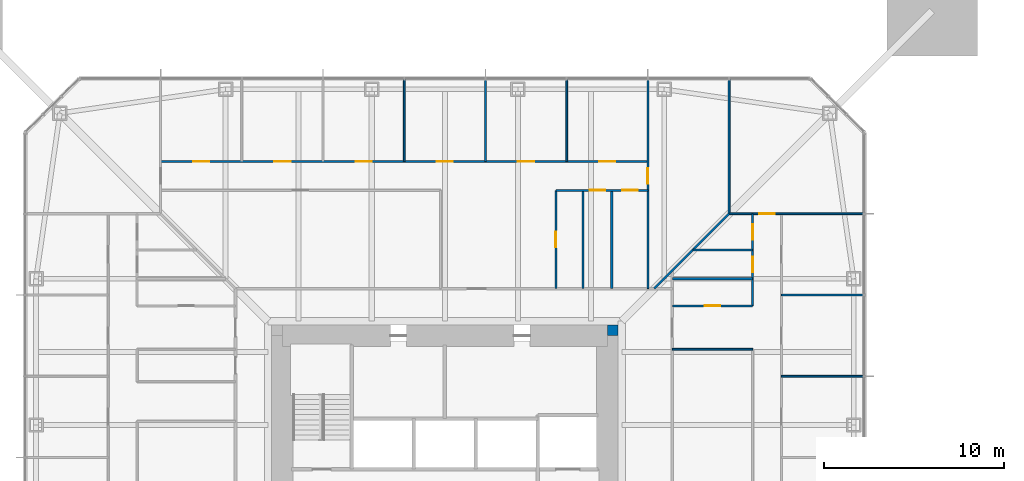
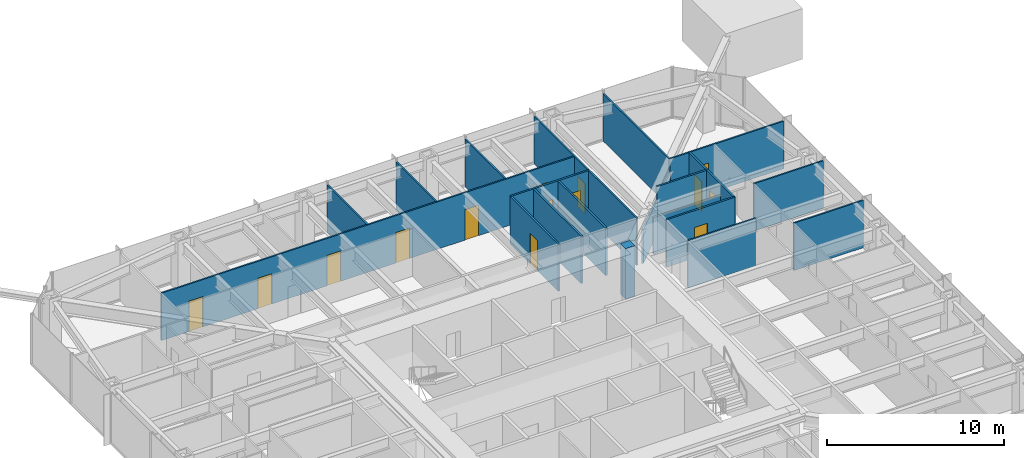
# One storey, part 17 of 26: 20 walls, 14 doors, 14 openings.
"""IFC4 building model written with IfcOpenShell, lengths in metres."""

import ifcopenshell
import ifcopenshell.guid

model = None  # the IFC model being written
_history = None  # IfcOwnerHistory: only IFC2X3 demands one
_inside = {}  # id of a spatial element -> (the spatial element, [elements in it])
_under = {}  # id of a project, library or spatial element -> (it, [spatial elements below it])
_declared = {}  # id of a project -> (the project, [libraries it declares])
_typed = {}  # id of a type object -> (the type object, [elements of that type])
_made_of = {}  # id of a material, layer set ... -> (it, [elements and type objects made of it])


def new_model(schema):
    """Start an empty IFC model of exactly this schema.

    Asked for "IFC4X3", IfcOpenShell would pick the latest addendum, in which some entities
    have other attributes; the version numbers below select the first issue.
    IFC2X3 requires an IfcOwnerHistory on every rooted entity: one is made here for all.
    """
    global model, _history
    if schema == "IFC4X3":
        model = ifcopenshell.file(schema_version=(4, 3, 0, 0))
    else:
        model = ifcopenshell.file(schema=schema)
    _inside.clear()
    _under.clear()
    _declared.clear()
    _typed.clear()
    _made_of.clear()
    _history = None
    if model.schema == "IFC2X3":
        org = make("IfcOrganization", Name="unknown")
        user = make(
            "IfcPersonAndOrganization",
            ThePerson=make("IfcPerson", FamilyName="unknown"),
            TheOrganization=org,
        )
        app = make(
            "IfcApplication",
            ApplicationDeveloper=org,
            Version="unknown",
            ApplicationFullName="unknown",
            ApplicationIdentifier="unknown",
        )
        _history = make(
            "IfcOwnerHistory",
            OwningUser=user,
            OwningApplication=app,
            ChangeAction="ADDED",
            CreationDate=0,
        )
    return model


def make(cls, **values):
    """One entity of the class cls with the attributes given. An attribute that is None is left unset."""
    return model.create_entity(
        cls, **{name: value for name, value in values.items() if value is not None}
    )


def rooted(cls, **values):
    """An entity with a GlobalId (a new one), such as an element, a storey or a relation."""
    return make(cls, GlobalId=ifcopenshell.guid.new(), OwnerHistory=_history, **values)


def si_unit(unit_type, name, prefix=None):
    """IfcSIUnit, for example si_unit("LENGTHUNIT", "METRE", prefix="MILLI")."""
    return make("IfcSIUnit", UnitType=unit_type, Prefix=prefix, Name=name)


def assignment(units):
    """IfcUnitAssignment: the units of a project."""
    return None if units is None else make("IfcUnitAssignment", Units=units)


def point(xyz):
    """IfcCartesianPoint."""
    return None if xyz is None else make("IfcCartesianPoint", Coordinates=xyz)


def direction(xyz):
    """IfcDirection."""
    return None if xyz is None else make("IfcDirection", DirectionRatios=xyz)


def frame(location, z_axis=None, x_axis=None):
    """IfcAxis2Placement3D, a coordinate frame: its origin and axes. An axis left out is left unset."""
    return make(
        "IfcAxis2Placement3D",
        Location=point(location),
        Axis=direction(z_axis),
        RefDirection=direction(x_axis),
    )


def frame_2d(location, x_axis=None):
    """IfcAxis2Placement2D, a coordinate frame in the plane: its origin and x axis."""
    return make(
        "IfcAxis2Placement2D", Location=point(location), RefDirection=direction(x_axis)
    )


def origin():
    """The frame at (0, 0, 0) with its axes left unset."""
    return frame((0.0, 0.0, 0.0))


def place(relative_to, where):
    """IfcLocalPlacement: puts the frame where relative to a parent placement (None: the world)."""
    return make(
        "IfcLocalPlacement", PlacementRelTo=relative_to, RelativePlacement=where
    )


def context(
    kind, dimensions, precision=None, world=None, true_north=None, identifier=None
):
    """IfcGeometricRepresentationContext, for example the 3D "Model" context."""
    return make(
        "IfcGeometricRepresentationContext",
        ContextIdentifier=identifier,
        ContextType=kind,
        CoordinateSpaceDimension=dimensions,
        Precision=precision,
        WorldCoordinateSystem=world,
        TrueNorth=true_north,
    )


def subcontext(parent, identifier, kind, view, scale=None):
    """IfcGeometricRepresentationSubContext, for example "Body" below "Model"."""
    return make(
        "IfcGeometricRepresentationSubContext",
        ContextIdentifier=identifier,
        ContextType=kind,
        ParentContext=parent,
        TargetScale=scale,
        TargetView=view,
    )


def project(units=None, contexts=None):
    """IfcProject with its units and contexts."""
    return rooted(
        "IfcProject",
        Name="project",
        RepresentationContexts=contexts,
        UnitsInContext=assignment(units),
    )


def spatial(cls, under=None, at=None, **own):
    """A site, building, storey or space (cls), placed at a placement, below another one or the project."""
    s = rooted(cls, ObjectPlacement=at, **own)
    if under is not None:
        _under.setdefault(under.id(), (under, []))[1].append(s)
    return s


def profile(cls, at=None, kind="AREA", **sizes):
    """A parametric profile (cls). Its sizes go by their IFC names, for example OverallWidth=200.0."""
    return make(cls, ProfileType=kind, Position=at, **sizes)


def rectangle(**sizes):
    """IfcRectangleProfileDef."""
    return profile("IfcRectangleProfileDef", **sizes)


def extrude(swept, where, along, depth):
    """IfcExtrudedAreaSolid: the profile swept, set in the frame where, extruded along a direction by depth."""
    return make(
        "IfcExtrudedAreaSolid",
        SweptArea=swept,
        Position=where,
        ExtrudedDirection=direction(along),
        Depth=depth,
    )


def shape(context_of_items, identifier, shape_type, items):
    """IfcShapeRepresentation: the items that make up one representation, for example the "Body"."""
    return make(
        "IfcShapeRepresentation",
        ContextOfItems=context_of_items,
        RepresentationIdentifier=identifier,
        RepresentationType=shape_type,
        Items=items,
    )


def material(Name=None, Category=None):
    """IfcMaterial."""
    return make("IfcMaterial", Name=Name, Category=Category)


def layer(
    of_material, thickness, ventilated=None, Name=None, Category=None, Priority=None
):
    """IfcMaterialLayer: one layer of a wall or slab, of a material (None: an air gap)."""
    return make(
        "IfcMaterialLayer",
        Material=of_material,
        LayerThickness=thickness,
        IsVentilated=ventilated,
        Name=Name,
        Category=Category,
        Priority=Priority,
    )


def layer_set(layers, Name=None):
    """IfcMaterialLayerSet."""
    return make("IfcMaterialLayerSet", MaterialLayers=layers, LayerSetName=Name)


def made_of(thing, what):
    """Note that an element or type object is made of a material, layer set ...; save() writes the relation."""
    if what is not None:
        _made_of.setdefault(what.id(), (what, []))[1].append(thing)
    return thing


def type_object(cls, material=None, **own):
    """A type object (cls), such as IfcWallType, which elements share."""
    return made_of(rooted(cls, **own), material)


def element(
    cls,
    number,
    at=None,
    inside=None,
    cuts=None,
    type_object=None,
    material=None,
    context=None,
    identifier="Body",
    shape_type=None,
    held_by="IfcProductDefinitionShape",
    body=None,
    shapes=None,
    **own,
):
    """One element of the class cls, such as IfcWall. Its Tag is "e" and its number.

    at: its placement. inside: the storey or other place that contains it. cuts: it is an
    opening in that element (IfcRelVoidsElement). A single representation is given by context,
    identifier, shape_type and body (its items); several are given by shapes. held_by: the class
    of the entity that holds the representations. save() writes the other relations.
    """
    e = rooted(cls, Tag="e%d" % number, ObjectPlacement=at, **own)
    if body is not None:
        shapes = [shape(context, identifier, shape_type, body)]
    if shapes is not None:
        e.Representation = make(held_by, Representations=shapes)
    if inside is not None:
        _inside.setdefault(inside.id(), (inside, []))[1].append(e)
    if cuts is not None:
        rooted(
            "IfcRelVoidsElement", RelatingBuildingElement=cuts, RelatedOpeningElement=e
        )
    if type_object is not None:
        _typed.setdefault(type_object.id(), (type_object, []))[1].append(e)
    return made_of(e, material)


def fill(opening, filler):
    """IfcRelFillsElement: the door or window that sits in an opening."""
    return rooted(
        "IfcRelFillsElement",
        RelatingOpeningElement=opening,
        RelatedBuildingElement=filler,
    )


def aggregate(whole, parts):
    """IfcRelAggregates: a whole, such as a stair, and the parts it consists of."""
    return rooted("IfcRelAggregates", RelatingObject=whole, RelatedObjects=parts)


def save(model, path):
    """Write the relations noted so far, then the file.

    IfcRelAggregates (storeys below a building ...), IfcRelContainedInSpatialStructure (elements
    in a storey), IfcRelDefinesByType, IfcRelAssociatesMaterial and IfcRelDeclares: one each for
    every whole, place, type object, material and project.
    """
    for whole, parts in _under.values():
        aggregate(whole, parts)
    for where, things in _inside.values():
        rooted(
            "IfcRelContainedInSpatialStructure",
            RelatedElements=things,
            RelatingStructure=where,
        )
    for kind, things in _typed.values():
        rooted("IfcRelDefinesByType", RelatedObjects=things, RelatingType=kind)
    for what, things in _made_of.values():
        rooted("IfcRelAssociatesMaterial", RelatedObjects=things, RelatingMaterial=what)
    for by, libraries in _declared.values():
        rooted("IfcRelDeclares", RelatingContext=by, RelatedDefinitions=libraries)
    model.write(path)


model = new_model("IFC4")

# Units and contexts
model_context = context("Model", 3, precision=1e-05, world=origin(), true_north=direction((0.0, 1.0)))
body_context = subcontext(model_context, "Body", "Model", "MODEL_VIEW")
ifc_project = project(units=[si_unit("LENGTHUNIT", "METRE"), si_unit("AREAUNIT", "SQUARE_METRE"), si_unit("VOLUMEUNIT", "CUBIC_METRE"), si_unit("PLANEANGLEUNIT", "RADIAN"), si_unit("MASSUNIT", "GRAM", prefix="KILO")], contexts=[model_context])

# Site, building, storey
site_placement = place(None, origin())
site = spatial("IfcSite", under=ifc_project, at=site_placement, CompositionType="ELEMENT")
building_placement = place(site_placement, origin())
building = spatial("IfcBuilding", under=site, at=building_placement, Name="Iwan Alto Co-Living Towers", CompositionType="ELEMENT")
storey_placement = place(building_placement, frame((0.0, 0.0, 29.0)))
storey = spatial("IfcBuildingStorey", under=building, at=storey_placement, Name="L07", CompositionType="ELEMENT", Elevation=29.0)

# Walls
ifc_material_1 = material(Name="Gypsum board")
ifc_layer_1 = layer(ifc_material_1, 0.012451171875, Name="Board", Category="Finish")
ifc_material_2 = material(Name="Steel ASTM A1003 ST33H cold-formed studs", Category="steel")
ifc_layer_2 = layer(ifc_material_2, 0.074951171875, Name="Studs", Category="Framing")
ifc_layer_3 = layer(ifc_material_1, 0.012451171875, Name="Board", Category="Finish")
ifc_layer_set_1 = layer_set([ifc_layer_1, ifc_layer_2, ifc_layer_3], Name="PARTITION 100")
wall_type_1 = type_object("IfcWallType", Name="PARTITION 100", PredefinedType="PARTITIONING", material=ifc_layer_set_1)
wall_1_placement = place(storey_placement, frame((18.64990234375, 6.75, 0.0), z_axis=(0.0, 0.0, 1.0), x_axis=(1.0, 0.0, 0.0)))
element("IfcWall", 1, at=wall_1_placement, inside=storey, type_object=wall_type_1, Name="Partition L07", PredefinedType="PARTITIONING", context=body_context, shape_type="SweptSolid", body=[
    extrude(rectangle(XDim=4.5400390625, YDim=0.10009765625, at=frame_2d((2.27001953125, 0.0))), origin(), (0.0, 0.0, 1.0), 3.27001953125),
])
wall_2_placement = place(storey_placement, frame((12.60009765625, 8.25, 0.0), z_axis=(0.0, 0.0, 1.0), x_axis=(1.0, 0.0, 0.0)))
element("IfcWall", 2, at=wall_2_placement, inside=storey, type_object=wall_type_1, Name="Partition L07", PredefinedType="PARTITIONING", context=body_context, shape_type="SweptSolid", body=[
    extrude(rectangle(XDim=4.449951171875, YDim=0.10009765625, at=frame_2d((2.22509765625, 0.0))), origin(), (0.0, 0.0, 1.0), 3.27001953125),
])
wall_3_placement = place(storey_placement, frame((18.64990234375, 11.25, 0.0), z_axis=(0.0, 0.0, 1.0), x_axis=(1.0, 0.0, 0.0)))
element("IfcWall", 3, at=wall_3_placement, inside=storey, type_object=wall_type_1, Name="Partition L07", PredefinedType="PARTITIONING", context=body_context, shape_type="SweptSolid", body=[
    extrude(rectangle(XDim=4.5400390625, YDim=0.10009765625, at=frame_2d((2.27001953125, 0.0))), origin(), (0.0, 0.0, 1.0), 3.27001953125),
])

# Wall, opening, door
wall_4_placement = place(storey_placement, frame((15.75, 15.75, 0.0), z_axis=(0.0, 0.0, 1.0), x_axis=(1.0, 0.0, 0.0)))
wall_4 = element("IfcWall", 4, at=wall_4_placement, inside=storey, type_object=wall_type_1, Name="Partition L07", PredefinedType="PARTITIONING", context=body_context, shape_type="SweptSolid", body=[
    extrude(rectangle(XDim=7.43994140625, YDim=0.10009765625, at=frame_2d((3.719970703125, 0.0))), origin(), (0.0, 0.0, 1.0), 3.27001953125),
])
opening_1_placement = place(wall_4_placement, frame((1.675048828125, 0.0, 0.0)))
opening_1 = element("IfcOpeningElement", 5, at=opening_1_placement, cuts=wall_4, Name="Opening D2", PredefinedType="OPENING", context=body_context, shape_type="SweptSolid", body=[
    extrude(rectangle(XDim=0.85009765625, YDim=2.10009765625, at=frame_2d((0.425048828125, 1.050048828125))), frame((0.0, 0.06005859375, 0.0), z_axis=(0.0, -1.0, 0.0), x_axis=(1.0, 0.0, 0.0)), (0.0, 0.0, 1.0), 0.1201171875),
])
ifc_material_3 = material(Name="Timber leaf in steel frame", Category="steel")
door_type_1 = type_object("IfcDoorType", Name="ROOM DOOR 850X2100", OperationType="SINGLE_SWING_LEFT", PredefinedType="DOOR", material=ifc_material_3)
door_1_placement = place(opening_1_placement, frame((0.85009765625, 0.0, 0.0), z_axis=(0.0, 0.0, 1.0), x_axis=(-1.0, 0.0, 0.0)))
door_1 = element("IfcDoor", 6, at=door_1_placement, inside=storey, type_object=door_type_1, Name="Shared kitchen and lounge door L07", OperationType="SINGLE_SWING_RIGHT", OverallHeight=2.10009765625, OverallWidth=0.85009765625, PredefinedType="DOOR", context=body_context, shape_type="SweptSolid", body=[
    extrude(rectangle(XDim=0.85009765625, YDim=2.10009765625, at=frame_2d((0.425048828125, 1.050048828125))), frame((0.0, 0.02490234375, 0.0), z_axis=(0.0, -1.0, 0.0), x_axis=(1.0, 0.0, 0.0)), (0.0, 0.0, 1.0), 0.050048828125),
])
fill(opening_1, door_1)

# Wall, openings, doors
wall_5_placement = place(storey_placement, frame((-15.75, 18.64990234375, 0.0), z_axis=(0.0, 0.0, 1.0), x_axis=(1.0, 0.0, 0.0)))
wall_5 = element("IfcWall", 7, at=wall_5_placement, inside=storey, type_object=wall_type_1, Name="Partition L07", PredefinedType="PARTITIONING", context=body_context, shape_type="SweptSolid", body=[
    extrude(rectangle(XDim=27.0, YDim=0.10009765625, at=frame_2d((13.5, 0.0))), origin(), (0.0, 0.0, 1.0), 3.27001953125),
])
opening_2_placement = place(wall_5_placement, frame((24.300048828125, 0.0, 0.0)))
opening_2 = element("IfcOpeningElement", 8, at=opening_2_placement, cuts=wall_5, Name="Opening D1", PredefinedType="OPENING", context=body_context, shape_type="SweptSolid", body=[
    extrude(rectangle(XDim=0.89990234375, YDim=2.10009765625, at=frame_2d((0.449951171875, 1.050048828125))), frame((0.0, 0.06005859375, 0.0), z_axis=(0.0, -1.0, 0.0), x_axis=(1.0, 0.0, 0.0)), (0.0, 0.0, 1.0), 0.1201171875),
])
opening_3_placement = place(wall_5_placement, frame((19.800048828125, 0.0, 0.0)))
opening_3 = element("IfcOpeningElement", 9, at=opening_3_placement, cuts=wall_5, Name="Opening D1", PredefinedType="OPENING", context=body_context, shape_type="SweptSolid", body=[
    extrude(rectangle(XDim=0.89990234375, YDim=2.10009765625, at=frame_2d((0.449951171875, 1.050048828125))), frame((0.0, 0.06005859375, 0.0), z_axis=(0.0, -1.0, 0.0), x_axis=(1.0, 0.0, 0.0)), (0.0, 0.0, 1.0), 0.1201171875),
])
opening_4_placement = place(wall_5_placement, frame((15.300048828125, 0.0, 0.0)))
opening_4 = element("IfcOpeningElement", 10, at=opening_4_placement, cuts=wall_5, Name="Opening D1", PredefinedType="OPENING", context=body_context, shape_type="SweptSolid", body=[
    extrude(rectangle(XDim=0.89990234375, YDim=2.10009765625, at=frame_2d((0.449951171875, 1.050048828125))), frame((0.0, 0.06005859375, 0.0), z_axis=(0.0, -1.0, 0.0), x_axis=(1.0, 0.0, 0.0)), (0.0, 0.0, 1.0), 0.1201171875),
])
opening_5_placement = place(wall_5_placement, frame((10.800048828125, 0.0, 0.0)))
opening_5 = element("IfcOpeningElement", 11, at=opening_5_placement, cuts=wall_5, Name="Opening D1", PredefinedType="OPENING", context=body_context, shape_type="SweptSolid", body=[
    extrude(rectangle(XDim=0.89990234375, YDim=2.10009765625, at=frame_2d((0.449951171875, 1.050048828125))), frame((0.0, 0.06005859375, 0.0), z_axis=(0.0, -1.0, 0.0), x_axis=(1.0, 0.0, 0.0)), (0.0, 0.0, 1.0), 0.1201171875),
])
opening_6_placement = place(wall_5_placement, frame((6.300048828125, 0.0, 0.0)))
opening_6 = element("IfcOpeningElement", 12, at=opening_6_placement, cuts=wall_5, Name="Opening D1", PredefinedType="OPENING", context=body_context, shape_type="SweptSolid", body=[
    extrude(rectangle(XDim=0.89990234375, YDim=2.10009765625, at=frame_2d((0.449951171875, 1.050048828125))), frame((0.0, 0.06005859375, 0.0), z_axis=(0.0, -1.0, 0.0), x_axis=(1.0, 0.0, 0.0)), (0.0, 0.0, 1.0), 0.1201171875),
])
opening_7_placement = place(wall_5_placement, frame((1.800048828125, 0.0, 0.0)))
opening_7 = element("IfcOpeningElement", 13, at=opening_7_placement, cuts=wall_5, Name="Opening D1", PredefinedType="OPENING", context=body_context, shape_type="SweptSolid", body=[
    extrude(rectangle(XDim=0.89990234375, YDim=2.10009765625, at=frame_2d((0.449951171875, 1.050048828125))), frame((0.0, 0.06005859375, 0.0), z_axis=(0.0, -1.0, 0.0), x_axis=(1.0, 0.0, 0.0)), (0.0, 0.0, 1.0), 0.1201171875),
])
ifc_material_4 = material(Name="Timber leaf in steel frame", Category="steel")
door_type_2 = type_object("IfcDoorType", Name="BEDROOM DOOR 900X2100", OperationType="SINGLE_SWING_LEFT", PredefinedType="DOOR", material=ifc_material_4)
door_2_placement = place(opening_2_placement, frame((0.89990234375, 0.0, 0.0), z_axis=(0.0, 0.0, 1.0), x_axis=(-1.0, 0.0, 0.0)))
door_2 = element("IfcDoor", 14, at=door_2_placement, inside=storey, type_object=door_type_2, Name="Study bedroom door L07", OperationType="SINGLE_SWING_LEFT", OverallHeight=2.10009765625, OverallWidth=0.89990234375, PredefinedType="DOOR", context=body_context, shape_type="SweptSolid", body=[
    extrude(rectangle(XDim=0.89990234375, YDim=2.10009765625, at=frame_2d((0.449951171875, 1.050048828125))), frame((0.0, 0.02490234375, 0.0), z_axis=(0.0, -1.0, 0.0), x_axis=(1.0, 0.0, 0.0)), (0.0, 0.0, 1.0), 0.050048828125),
])
fill(opening_2, door_2)
door_3_placement = place(opening_3_placement, frame((0.89990234375, 0.0, 0.0), z_axis=(0.0, 0.0, 1.0), x_axis=(-1.0, 0.0, 0.0)))
door_3 = element("IfcDoor", 15, at=door_3_placement, inside=storey, type_object=door_type_2, Name="Study bedroom door L07", OperationType="SINGLE_SWING_LEFT", OverallHeight=2.10009765625, OverallWidth=0.89990234375, PredefinedType="DOOR", context=body_context, shape_type="SweptSolid", body=[
    extrude(rectangle(XDim=0.89990234375, YDim=2.10009765625, at=frame_2d((0.449951171875, 1.050048828125))), frame((0.0, 0.02490234375, 0.0), z_axis=(0.0, -1.0, 0.0), x_axis=(1.0, 0.0, 0.0)), (0.0, 0.0, 1.0), 0.050048828125),
])
fill(opening_3, door_3)
door_4_placement = place(opening_4_placement, frame((0.89990234375, 0.0, 0.0), z_axis=(0.0, 0.0, 1.0), x_axis=(-1.0, 0.0, 0.0)))
door_4 = element("IfcDoor", 16, at=door_4_placement, inside=storey, type_object=door_type_2, Name="Study bedroom door L07", OperationType="SINGLE_SWING_LEFT", OverallHeight=2.10009765625, OverallWidth=0.89990234375, PredefinedType="DOOR", context=body_context, shape_type="SweptSolid", body=[
    extrude(rectangle(XDim=0.89990234375, YDim=2.10009765625, at=frame_2d((0.449951171875, 1.050048828125))), frame((0.0, 0.02490234375, 0.0), z_axis=(0.0, -1.0, 0.0), x_axis=(1.0, 0.0, 0.0)), (0.0, 0.0, 1.0), 0.050048828125),
])
fill(opening_4, door_4)
door_5_placement = place(opening_5_placement, frame((0.89990234375, 0.0, 0.0), z_axis=(0.0, 0.0, 1.0), x_axis=(-1.0, 0.0, 0.0)))
door_5 = element("IfcDoor", 17, at=door_5_placement, inside=storey, type_object=door_type_2, Name="Study bedroom door L07", OperationType="SINGLE_SWING_RIGHT", OverallHeight=2.10009765625, OverallWidth=0.89990234375, PredefinedType="DOOR", context=body_context, shape_type="SweptSolid", body=[
    extrude(rectangle(XDim=0.89990234375, YDim=2.10009765625, at=frame_2d((0.449951171875, 1.050048828125))), frame((0.0, 0.02490234375, 0.0), z_axis=(0.0, -1.0, 0.0), x_axis=(1.0, 0.0, 0.0)), (0.0, 0.0, 1.0), 0.050048828125),
])
fill(opening_5, door_5)
door_6_placement = place(opening_6_placement, frame((0.89990234375, 0.0, 0.0), z_axis=(0.0, 0.0, 1.0), x_axis=(-1.0, 0.0, 0.0)))
door_6 = element("IfcDoor", 18, at=door_6_placement, inside=storey, type_object=door_type_2, Name="Study bedroom door L07", OperationType="SINGLE_SWING_RIGHT", OverallHeight=2.10009765625, OverallWidth=0.89990234375, PredefinedType="DOOR", context=body_context, shape_type="SweptSolid", body=[
    extrude(rectangle(XDim=0.89990234375, YDim=2.10009765625, at=frame_2d((0.449951171875, 1.050048828125))), frame((0.0, 0.02490234375, 0.0), z_axis=(0.0, -1.0, 0.0), x_axis=(1.0, 0.0, 0.0)), (0.0, 0.0, 1.0), 0.050048828125),
])
fill(opening_6, door_6)
door_7_placement = place(opening_7_placement, frame((0.89990234375, 0.0, 0.0), z_axis=(0.0, 0.0, 1.0), x_axis=(-1.0, 0.0, 0.0)))
door_7 = element("IfcDoor", 19, at=door_7_placement, inside=storey, type_object=door_type_2, Name="Study bedroom door L07", OperationType="SINGLE_SWING_RIGHT", OverallHeight=2.10009765625, OverallWidth=0.89990234375, PredefinedType="DOOR", context=body_context, shape_type="SweptSolid", body=[
    extrude(rectangle(XDim=0.89990234375, YDim=2.10009765625, at=frame_2d((0.449951171875, 1.050048828125))), frame((0.0, 0.02490234375, 0.0), z_axis=(0.0, -1.0, 0.0), x_axis=(1.0, 0.0, 0.0)), (0.0, 0.0, 1.0), 0.050048828125),
])
fill(opening_7, door_7)

# Wall
wall_6_placement = place(storey_placement, frame((15.75, 15.75, 0.0), z_axis=(0.0, 0.0, 1.0), x_axis=(0.0, 1.0, 0.0)))
element("IfcWall", 20, at=wall_6_placement, inside=storey, type_object=wall_type_1, Name="Partition L07", PredefinedType="PARTITIONING", context=body_context, shape_type="SweptSolid", body=[
    extrude(rectangle(XDim=7.43994140625, YDim=0.10009765625, at=frame_2d((3.719970703125, 0.0))), origin(), (0.0, 0.0, 1.0), 3.27001953125),
])

# Wall, opening, door
wall_7_placement = place(storey_placement, frame((11.25, 11.60009765625, 0.0), z_axis=(0.0, 0.0, 1.0), x_axis=(0.0, 1.0, 0.0)))
wall_7 = element("IfcWall", 21, at=wall_7_placement, inside=storey, type_object=wall_type_1, Name="Partition L07", PredefinedType="PARTITIONING", context=body_context, shape_type="SweptSolid", body=[
    extrude(rectangle(XDim=11.58984375, YDim=0.10009765625, at=frame_2d((5.794921875, 0.0))), origin(), (0.0, 0.0, 1.0), 3.27001953125),
])
opening_8_placement = place(wall_7_placement, frame((5.824951171875, 0.0, 0.0)))
opening_8 = element("IfcOpeningElement", 22, at=opening_8_placement, cuts=wall_7, Name="Opening D2", PredefinedType="OPENING", context=body_context, shape_type="SweptSolid", body=[
    extrude(rectangle(XDim=0.85009765625, YDim=2.10009765625, at=frame_2d((0.425048828125, 1.050048828125))), frame((0.0, 0.06005859375, 0.0), z_axis=(0.0, -1.0, 0.0), x_axis=(1.0, 0.0, 0.0)), (0.0, 0.0, 1.0), 0.1201171875),
])
door_8_placement = place(opening_8_placement, origin())
door_8 = element("IfcDoor", 23, at=door_8_placement, inside=storey, type_object=door_type_1, Name="Seminar room door L07", OperationType="SINGLE_SWING_LEFT", OverallHeight=2.10009765625, OverallWidth=0.85009765625, PredefinedType="DOOR", context=body_context, shape_type="SweptSolid", body=[
    extrude(rectangle(XDim=0.85009765625, YDim=2.10009765625, at=frame_2d((0.425048828125, 1.050048828125))), frame((0.0, 0.02490234375, 0.0), z_axis=(0.0, -1.0, 0.0), x_axis=(1.0, 0.0, 0.0)), (0.0, 0.0, 1.0), 0.050048828125),
])
fill(opening_8, door_8)

# Walls
for number, where, z_axis, x_axis, name in (
    (24, (6.75, 18.64990234375, 0.0), (0.0, 0.0, 1.0), (0.0, 1.0, 0.0), "Partition L07"),
    (25, (2.25, 18.64990234375, 0.0), (0.0, 0.0, 1.0), (0.0, 1.0, 0.0), "Partition L07"),
    (26, (-2.25, 18.64990234375, 0.0), (0.0, 0.0, 1.0), (0.0, 1.0, 0.0), "Partition L07"),
):
    element("IfcWall", number, at=place(storey_placement, frame(where, z_axis=z_axis, x_axis=x_axis)), inside=storey, type_object=wall_type_1, Name=name, PredefinedType="PARTITIONING", context=body_context, shape_type="SweptSolid", body=[
        extrude(rectangle(XDim=4.5400390625, YDim=0.10009765625, at=frame_2d((2.27001953125, 0.0))), origin(), (0.0, 0.0, 1.0), 3.27001953125),
    ])
ifc_material_5 = material(Name="Concrete f'c 70 MPa", Category="concrete")
ifc_layer_4 = layer(ifc_material_5, 0.60009765625)
ifc_layer_set_2 = layer_set([ifc_layer_4], Name="T1 CORE CORNER FILL 600")
wall_type_2 = type_object("IfcWallType", Name="T1 CORE CORNER FILL 600", PredefinedType="SOLIDWALL", material=ifc_layer_set_2)
wall_8_placement = place(storey_placement, frame((9.0, 9.300048828125, 0.0), z_axis=(0.0, 0.0, 1.0), x_axis=(1.0, 0.0, 0.0)))
element("IfcWall", 27, at=wall_8_placement, inside=storey, type_object=wall_type_2, Name="T1 core corner NE L07", PredefinedType="SOLIDWALL", context=body_context, shape_type="SweptSolid", body=[
    extrude(rectangle(XDim=0.60009765625, YDim=0.60009765625, at=frame_2d((0.300048828125, 0.0))), origin(), (0.0, 0.0, 1.0), 3.5),
])

# Wall, opening, door
ifc_material_6 = material(Name="Cement board")
ifc_layer_5 = layer(ifc_material_6, 0.012451171875, Name="Board", Category="Finish")
ifc_layer_6 = layer(ifc_material_2, 0.094970703125, Name="Studs", Category="Framing")
ifc_layer_7 = layer(ifc_material_6, 0.012451171875, Name="Board", Category="Finish")
ifc_layer_set_3 = layer_set([ifc_layer_5, ifc_layer_6, ifc_layer_7], Name="WET AREA PARTITION 120")
wall_type_3 = type_object("IfcWallType", Name="WET AREA PARTITION 120", PredefinedType="PARTITIONING", material=ifc_layer_set_3)
wall_9_placement = place(storey_placement, frame((12.60009765625, 10.64990234375, 0.0), z_axis=(0.0, 0.0, 1.0), x_axis=(1.0, 0.0, 0.0)))
wall_9 = element("IfcWall", 28, at=wall_9_placement, inside=storey, type_object=wall_type_3, Name="Partition L07", PredefinedType="PARTITIONING", context=body_context, shape_type="SweptSolid", body=[
    extrude(rectangle(XDim=4.449951171875, YDim=0.1201171875, at=frame_2d((2.22509765625, 0.0))), origin(), (0.0, 0.0, 1.0), 3.27001953125),
])
opening_9_placement = place(wall_9_placement, frame((1.800048828125, 0.0, 0.0)))
opening_9 = element("IfcOpeningElement", 29, at=opening_9_placement, cuts=wall_9, Name="Opening D2", PredefinedType="OPENING", context=body_context, shape_type="SweptSolid", body=[
    extrude(rectangle(XDim=0.85009765625, YDim=2.10009765625, at=frame_2d((0.425048828125, 1.050048828125))), frame((0.0, 0.070068359375, 0.0), z_axis=(0.0, -1.0, 0.0), x_axis=(1.0, 0.0, 0.0)), (0.0, 0.0, 1.0), 0.14013671875),
])
door_9_placement = place(opening_9_placement, frame((0.85009765625, 0.0, 0.0), z_axis=(0.0, 0.0, 1.0), x_axis=(-1.0, 0.0, 0.0)))
door_9 = element("IfcDoor", 30, at=door_9_placement, inside=storey, type_object=door_type_1, Name="Bathroom door L07", OperationType="SINGLE_SWING_RIGHT", OverallHeight=2.10009765625, OverallWidth=0.85009765625, PredefinedType="DOOR", context=body_context, shape_type="SweptSolid", body=[
    extrude(rectangle(XDim=0.85009765625, YDim=2.10009765625, at=frame_2d((0.425048828125, 1.050048828125))), frame((0.0, 0.02490234375, 0.0), z_axis=(0.0, -1.0, 0.0), x_axis=(1.0, 0.0, 0.0)), (0.0, 0.0, 1.0), 0.050048828125),
])
fill(opening_9, door_9)

# Walls
wall_10_placement = place(storey_placement, frame((12.60009765625, 12.14990234375, 0.0), z_axis=(0.0, 0.0, 1.0), x_axis=(1.0, 0.0, 0.0)))
element("IfcWall", 31, at=wall_10_placement, inside=storey, type_object=wall_type_3, Name="Partition L07", PredefinedType="PARTITIONING", context=body_context, shape_type="SweptSolid", body=[
    extrude(rectangle(XDim=4.449951171875, YDim=0.1201171875, at=frame_2d((2.22509765625, 0.0))), origin(), (0.0, 0.0, 1.0), 2.508056640625),
])
wall_11_placement = place(storey_placement, frame((13.75, 13.75, 0.0), z_axis=(0.0, 0.0, 1.0), x_axis=(1.0, 0.0, 0.0)))
element("IfcWall", 32, at=wall_11_placement, inside=storey, type_object=wall_type_3, Name="Partition L07", PredefinedType="PARTITIONING", context=body_context, shape_type="SweptSolid", body=[
    extrude(rectangle(XDim=3.300048828125, YDim=0.1201171875, at=frame_2d((1.64990234375, 0.0))), origin(), (0.0, 0.0, 1.0), 3.27001953125),
])

# Wall, openings, doors
wall_12_placement = place(storey_placement, frame((6.14990234375, 17.050048828125, 0.0), z_axis=(0.0, 0.0, 1.0), x_axis=(1.0, 0.0, 0.0)))
wall_12 = element("IfcWall", 33, at=wall_12_placement, inside=storey, type_object=wall_type_3, Name="Partition L07", PredefinedType="PARTITIONING", context=body_context, shape_type="SweptSolid", body=[
    extrude(rectangle(XDim=5.10009765625, YDim=0.1201171875, at=frame_2d((2.550048828125, 0.0))), origin(), (0.0, 0.0, 1.0), 3.27001953125),
])
opening_10_placement = place(wall_12_placement, frame((3.675048828125, 0.0, 0.0)))
opening_10 = element("IfcOpeningElement", 34, at=opening_10_placement, cuts=wall_12, Name="Opening D2", PredefinedType="OPENING", context=body_context, shape_type="SweptSolid", body=[
    extrude(rectangle(XDim=0.85009765625, YDim=2.10009765625, at=frame_2d((0.425048828125, 1.050048828125))), frame((0.0, 0.070068359375, 0.0), z_axis=(0.0, -1.0, 0.0), x_axis=(1.0, 0.0, 0.0)), (0.0, 0.0, 1.0), 0.14013671875),
])
opening_11_placement = place(wall_12_placement, frame((1.875, 0.0, 0.0)))
opening_11 = element("IfcOpeningElement", 35, at=opening_11_placement, cuts=wall_12, Name="Opening D2", PredefinedType="OPENING", context=body_context, shape_type="SweptSolid", body=[
    extrude(rectangle(XDim=0.85009765625, YDim=2.10009765625, at=frame_2d((0.425048828125, 1.050048828125))), frame((0.0, 0.070068359375, 0.0), z_axis=(0.0, -1.0, 0.0), x_axis=(1.0, 0.0, 0.0)), (0.0, 0.0, 1.0), 0.14013671875),
])
door_10_placement = place(opening_10_placement, origin())
door_10 = element("IfcDoor", 36, at=door_10_placement, inside=storey, type_object=door_type_1, Name="Laundry door L07", OperationType="SINGLE_SWING_RIGHT", OverallHeight=2.10009765625, OverallWidth=0.85009765625, PredefinedType="DOOR", context=body_context, shape_type="SweptSolid", body=[
    extrude(rectangle(XDim=0.85009765625, YDim=2.10009765625, at=frame_2d((0.425048828125, 1.050048828125))), frame((0.0, 0.02490234375, 0.0), z_axis=(0.0, -1.0, 0.0), x_axis=(1.0, 0.0, 0.0)), (0.0, 0.0, 1.0), 0.050048828125),
])
fill(opening_10, door_10)
door_11_placement = place(opening_11_placement, origin())
door_11 = element("IfcDoor", 37, at=door_11_placement, inside=storey, type_object=door_type_1, Name="Accessible bathroom door L07", OperationType="SINGLE_SWING_RIGHT", OverallHeight=2.10009765625, OverallWidth=0.85009765625, PredefinedType="DOOR", context=body_context, shape_type="SweptSolid", body=[
    extrude(rectangle(XDim=0.85009765625, YDim=2.10009765625, at=frame_2d((0.425048828125, 1.050048828125))), frame((0.0, 0.02490234375, 0.0), z_axis=(0.0, -1.0, 0.0), x_axis=(1.0, 0.0, 0.0)), (0.0, 0.0, 1.0), 0.050048828125),
])
fill(opening_11, door_11)

# Wall
wall_13_placement = place(storey_placement, frame((11.60009765625, 11.60009765625, 0.0), z_axis=(0.0, 0.0, 1.0), x_axis=(0.707106781187, 0.707106781187, 0.0)))
element("IfcWall", 38, at=wall_13_placement, inside=storey, type_object=wall_type_3, Name="Partition L07", PredefinedType="PARTITIONING", context=body_context, shape_type="SweptSolid", body=[
    extrude(rectangle(XDim=5.868896484375, YDim=0.1201171875, at=frame_2d((2.9345703125, 0.0))), origin(), (0.0, 0.0, 1.0), 2.343017578125),
])

# Wall, openings, doors
wall_14_placement = place(storey_placement, frame((17.050048828125, 10.64990234375, 0.0), z_axis=(0.0, 0.0, 1.0), x_axis=(0.0, 1.0, 0.0)))
wall_14 = element("IfcWall", 39, at=wall_14_placement, inside=storey, type_object=wall_type_3, Name="Partition L07", PredefinedType="PARTITIONING", context=body_context, shape_type="SweptSolid", body=[
    extrude(rectangle(XDim=5.10009765625, YDim=0.1201171875, at=frame_2d((2.550048828125, 0.0))), origin(), (0.0, 0.0, 1.0), 3.27001953125),
])
opening_12_placement = place(wall_14_placement, frame((1.875, 0.0, 0.0)))
opening_12 = element("IfcOpeningElement", 40, at=opening_12_placement, cuts=wall_14, Name="Opening D2", PredefinedType="OPENING", context=body_context, shape_type="SweptSolid", body=[
    extrude(rectangle(XDim=0.85009765625, YDim=2.10009765625, at=frame_2d((0.425048828125, 1.050048828125))), frame((0.0, 0.070068359375, 0.0), z_axis=(0.0, -1.0, 0.0), x_axis=(1.0, 0.0, 0.0)), (0.0, 0.0, 1.0), 0.14013671875),
])
opening_13_placement = place(wall_14_placement, frame((3.675048828125, 0.0, 0.0)))
opening_13 = element("IfcOpeningElement", 41, at=opening_13_placement, cuts=wall_14, Name="Opening D2", PredefinedType="OPENING", context=body_context, shape_type="SweptSolid", body=[
    extrude(rectangle(XDim=0.85009765625, YDim=2.10009765625, at=frame_2d((0.425048828125, 1.050048828125))), frame((0.0, 0.070068359375, 0.0), z_axis=(0.0, -1.0, 0.0), x_axis=(1.0, 0.0, 0.0)), (0.0, 0.0, 1.0), 0.14013671875),
])
door_12_placement = place(opening_12_placement, frame((0.85009765625, 0.0, 0.0), z_axis=(0.0, 0.0, 1.0), x_axis=(-1.0, 0.0, 0.0)))
door_12 = element("IfcDoor", 42, at=door_12_placement, inside=storey, type_object=door_type_1, Name="Bathroom door L07", OperationType="SINGLE_SWING_LEFT", OverallHeight=2.10009765625, OverallWidth=0.85009765625, PredefinedType="DOOR", context=body_context, shape_type="SweptSolid", body=[
    extrude(rectangle(XDim=0.85009765625, YDim=2.10009765625, at=frame_2d((0.425048828125, 1.050048828125))), frame((0.0, 0.02490234375, 0.0), z_axis=(0.0, -1.0, 0.0), x_axis=(1.0, 0.0, 0.0)), (0.0, 0.0, 1.0), 0.050048828125),
])
fill(opening_12, door_12)
door_13_placement = place(opening_13_placement, frame((0.85009765625, 0.0, 0.0), z_axis=(0.0, 0.0, 1.0), x_axis=(-1.0, 0.0, 0.0)))
door_13 = element("IfcDoor", 43, at=door_13_placement, inside=storey, type_object=door_type_1, Name="Laundry door L07", OperationType="SINGLE_SWING_LEFT", OverallHeight=2.10009765625, OverallWidth=0.85009765625, PredefinedType="DOOR", context=body_context, shape_type="SweptSolid", body=[
    extrude(rectangle(XDim=0.85009765625, YDim=2.10009765625, at=frame_2d((0.425048828125, 1.050048828125))), frame((0.0, 0.02490234375, 0.0), z_axis=(0.0, -1.0, 0.0), x_axis=(1.0, 0.0, 0.0)), (0.0, 0.0, 1.0), 0.050048828125),
])
fill(opening_13, door_13)

# Walls
for number, where, z_axis, x_axis, name in (
    (44, (9.25, 11.60009765625, 0.0), (0.0, 0.0, 1.0), (0.0, 1.0, 0.0), "Partition L07"),
    (45, (7.64990234375, 11.60009765625, 0.0), (0.0, 0.0, 1.0), (0.0, 1.0, 0.0), "Partition L07"),
):
    element("IfcWall", number, at=place(storey_placement, frame(where, z_axis=z_axis, x_axis=x_axis)), inside=storey, type_object=wall_type_3, Name=name, PredefinedType="PARTITIONING", context=body_context, shape_type="SweptSolid", body=[
        extrude(rectangle(XDim=5.449951171875, YDim=0.1201171875, at=frame_2d((2.72509765625, 0.0))), origin(), (0.0, 0.0, 1.0), 3.27001953125),
    ])

# Wall, opening, door
wall_15_placement = place(storey_placement, frame((6.14990234375, 11.60009765625, 0.0), z_axis=(0.0, 0.0, 1.0), x_axis=(0.0, 1.0, 0.0)))
wall_15 = element("IfcWall", 46, at=wall_15_placement, inside=storey, type_object=wall_type_3, Name="Partition L07", PredefinedType="PARTITIONING", context=body_context, shape_type="SweptSolid", body=[
    extrude(rectangle(XDim=5.449951171875, YDim=0.1201171875, at=frame_2d((2.72509765625, 0.0))), origin(), (0.0, 0.0, 1.0), 3.27001953125),
])
opening_14_placement = place(wall_15_placement, frame((2.300048828125, 0.0, 0.0)))
opening_14 = element("IfcOpeningElement", 47, at=opening_14_placement, cuts=wall_15, Name="Opening D2", PredefinedType="OPENING", context=body_context, shape_type="SweptSolid", body=[
    extrude(rectangle(XDim=0.85009765625, YDim=2.10009765625, at=frame_2d((0.425048828125, 1.050048828125))), frame((0.0, 0.070068359375, 0.0), z_axis=(0.0, -1.0, 0.0), x_axis=(1.0, 0.0, 0.0)), (0.0, 0.0, 1.0), 0.14013671875),
])
door_14_placement = place(opening_14_placement, origin())
door_14 = element("IfcDoor", 48, at=door_14_placement, inside=storey, type_object=door_type_1, Name="Bathroom door L07", OperationType="SINGLE_SWING_LEFT", OverallHeight=2.10009765625, OverallWidth=0.85009765625, PredefinedType="DOOR", context=body_context, shape_type="SweptSolid", body=[
    extrude(rectangle(XDim=0.85009765625, YDim=2.10009765625, at=frame_2d((0.425048828125, 1.050048828125))), frame((0.0, 0.02490234375, 0.0), z_axis=(0.0, -1.0, 0.0), x_axis=(1.0, 0.0, 0.0)), (0.0, 0.0, 1.0), 0.050048828125),
])
fill(opening_14, door_14)

save(model, "model.ifc")
